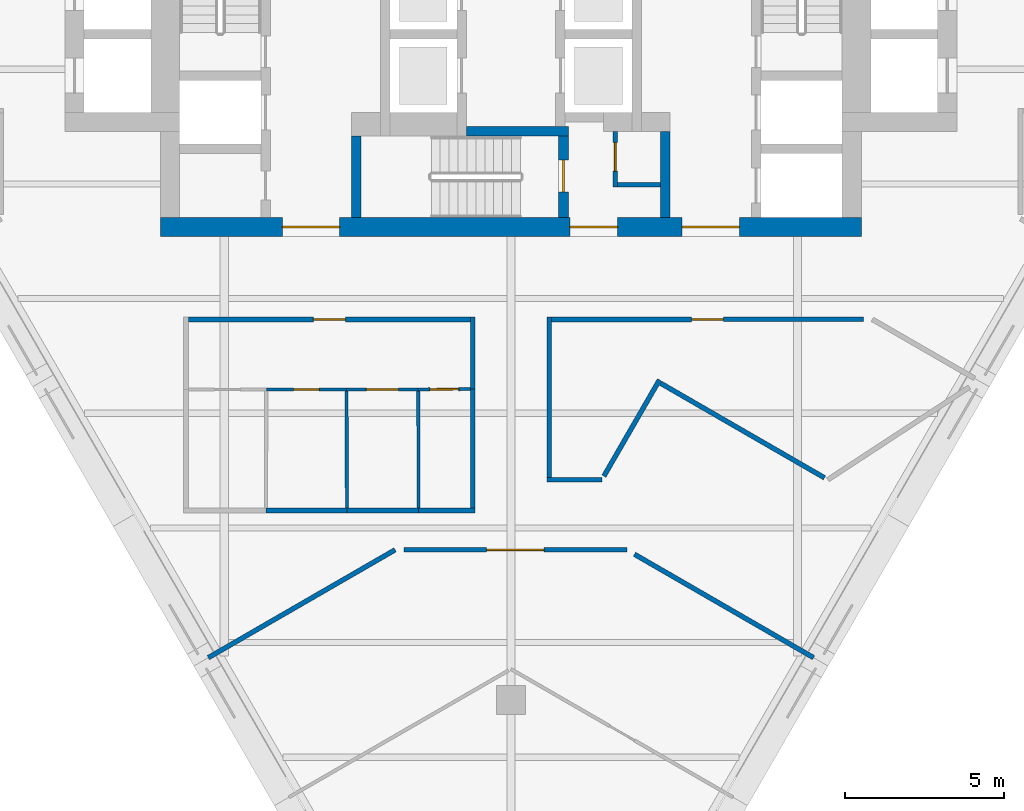
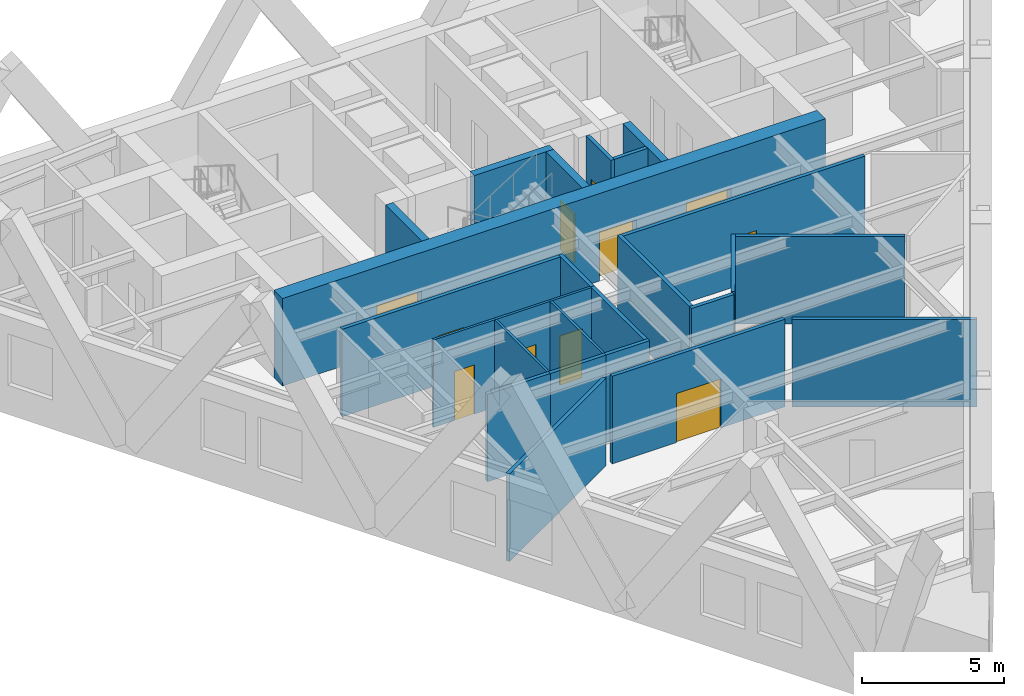
# One storey, part 3 of 8: 26 walls, 11 doors, 11 openings.
"""IFC4 building model written with IfcOpenShell, lengths in metres."""

from ifc_helpers import new_model, si_unit, direction, frame, frame_2d, origin, place, context, subcontext, project, spatial, rectangle, extrude, material, layer, layer_set, type_object, element, fill, save


model = new_model("IFC4")

# Units and contexts
model_context = context("Model", 3, precision=1e-05, world=origin(), true_north=direction((0.0, 1.0)))
body_context = subcontext(model_context, "Body", "Model", "MODEL_VIEW")
ifc_project = project(units=[si_unit("LENGTHUNIT", "METRE"), si_unit("AREAUNIT", "SQUARE_METRE"), si_unit("VOLUMEUNIT", "CUBIC_METRE"), si_unit("PLANEANGLEUNIT", "RADIAN"), si_unit("MASSUNIT", "GRAM", prefix="KILO")], contexts=[model_context])

# Site, building, storey
site_placement = place(None, origin())
site = spatial("IfcSite", under=ifc_project, at=site_placement, CompositionType="ELEMENT")
building_placement = place(site_placement, origin())
building = spatial("IfcBuilding", under=site, at=building_placement, Name="Aloe Facet Convention Tower", CompositionType="ELEMENT")
storey_placement = place(building_placement, frame((0.0, 0.0, 128.60009765625)))
storey = spatial("IfcBuildingStorey", under=building, at=storey_placement, Name="L32", CompositionType="ELEMENT", Elevation=128.60009765625)

# Wall, opening, door
ifc_material_1 = material(Name="Concrete blockwork partition", Category="masonry")
ifc_layer_1 = layer(ifc_material_1, 0.14990234375)
ifc_layer_set_1 = layer_set([ifc_layer_1], Name="CR-W-PART150")
wall_type_1 = type_object("IfcWallType", Name="CR-W-PART150", PredefinedType="PARTITIONING", material=ifc_layer_set_1)
wall_1_placement = place(storey_placement, frame((83.27490234375, 125.85009765625, 0.0), z_axis=(0.0, 0.0, 1.0), x_axis=(0.0, -1.0, 0.0)))
wall_1 = element("IfcWall", 1, at=wall_1_placement, inside=storey, type_object=wall_type_1, Name="Core partition L32-028", PredefinedType="PARTITIONING", context=body_context, shape_type="SweptSolid", body=[
    extrude(rectangle(XDim=1.75, YDim=0.14990234375, at=frame_2d((0.875, 0.0))), origin(), (0.0, 0.0, 1.0), 3.75),
])
opening_1_placement = place(wall_1_placement, frame((0.35009765625, 0.0, 0.0)))
opening_1 = element("IfcOpeningElement", 2, at=opening_1_placement, cuts=wall_1, Name="Opening L32-CD12", PredefinedType="OPENING", context=body_context, shape_type="SweptSolid", body=[
    extrude(rectangle(XDim=0.89990234375, YDim=2.10009765625, at=frame_2d((0.449951171875, 1.050048828125))), frame((0.0, 0.0849609375, 0.0), z_axis=(0.0, -1.0, 0.0), x_axis=(1.0, 0.0, 0.0)), (0.0, 0.0, 1.0), 0.169921875),
])
ifc_material_2 = material(Name="Steel fire-resisting door set FD60", Category="steel")
door_type_1 = type_object("IfcDoorType", Name="CR-D-REFUGE-900-FD60-SRIGHT", OperationType="SINGLE_SWING_RIGHT", PredefinedType="DOOR", material=ifc_material_2)
door_1_placement = place(opening_1_placement, origin())
door_1 = element("IfcDoor", 3, at=door_1_placement, inside=storey, type_object=door_type_1, Name="Core door L32-CD12", OperationType="SINGLE_SWING_RIGHT", OverallHeight=2.10009765625, OverallWidth=0.89990234375, PredefinedType="DOOR", context=body_context, shape_type="SweptSolid", body=[
    extrude(rectangle(XDim=0.89990234375, YDim=2.10009765625, at=frame_2d((0.449951171875, 1.050048828125))), frame((0.0, 0.02490234375, 0.0), z_axis=(0.0, -1.0, 0.0), x_axis=(1.0, 0.0, 0.0)), (0.0, 0.0, 1.0), 0.050048828125),
])
fill(opening_1, door_1)

# Walls
wall_2_placement = place(storey_placement, frame((83.35009765625, 124.175048828125, 0.0), z_axis=(0.0, 0.0, 1.0), x_axis=(1.0, 0.0, 0.0)))
element("IfcWall", 4, at=wall_2_placement, inside=storey, type_object=wall_type_1, Name="Core partition L32-029", PredefinedType="PARTITIONING", context=body_context, shape_type="SweptSolid", body=[
    extrude(rectangle(XDim=1.349853515625, YDim=0.14990234375, at=frame_2d((0.6748046875, 0.0))), origin(), (0.0, 0.0, 1.0), 3.75),
])
ifc_material_3 = material(Name="Concrete C60/75", Category="concrete")
ifc_layer_2 = layer(ifc_material_3, 0.300048828125)
ifc_layer_set_2 = layer_set([ifc_layer_2], Name="CR-W-RC300-C6075")
wall_type_2 = type_object("IfcWallType", Name="CR-W-RC300-C6075", PredefinedType="SOLIDWALL", material=ifc_layer_set_2)
wall_3_placement = place(storey_placement, frame((75.14990234375, 125.699951171875, 0.0), z_axis=(0.0, 0.0, 1.0), x_axis=(0.0, -1.0, 0.0)))
element("IfcWall", 5, at=wall_3_placement, inside=storey, type_object=wall_type_2, Name="Core wall L32-015", PredefinedType="SOLIDWALL", context=body_context, shape_type="SweptSolid", body=[
    extrude(rectangle(XDim=2.550048828125, YDim=0.300048828125, at=frame_2d((1.27490234375, 0.0))), origin(), (0.0, 0.0, 1.0), 3.75),
])
wall_4_placement = place(storey_placement, frame((78.60009765625, 125.85009765625, 0.0), z_axis=(0.0, 0.0, 1.0), x_axis=(1.0, 0.0, 0.0)))
element("IfcWall", 6, at=wall_4_placement, inside=storey, type_object=wall_type_2, Name="Core wall L32-021", PredefinedType="SOLIDWALL", context=body_context, shape_type="SweptSolid", body=[
    extrude(rectangle(XDim=3.199951171875, YDim=0.300048828125, at=frame_2d((1.60009765625, 0.0))), origin(), (0.0, 0.0, 1.0), 3.75),
])

# Wall, opening, door
wall_5_placement = place(storey_placement, frame((81.64990234375, 125.699951171875, 0.0), z_axis=(0.0, 0.0, 1.0), x_axis=(0.0, -1.0, 0.0)))
wall_5 = element("IfcWall", 7, at=wall_5_placement, inside=storey, type_object=wall_type_2, Name="Core wall L32-023", PredefinedType="SOLIDWALL", context=body_context, shape_type="SweptSolid", body=[
    extrude(rectangle(XDim=2.550048828125, YDim=0.300048828125, at=frame_2d((1.27490234375, 0.0))), origin(), (0.0, 0.0, 1.0), 3.75),
])
opening_2_placement = place(wall_5_placement, frame((0.75, 0.0, 0.0)))
opening_2 = element("IfcOpeningElement", 8, at=opening_2_placement, cuts=wall_5, Name="Opening L32-CD22", PredefinedType="OPENING", context=body_context, shape_type="SweptSolid", body=[
    extrude(rectangle(XDim=1.0, YDim=2.10009765625, at=frame_2d((0.5, 1.050048828125))), frame((0.0, 0.16015625, 0.0), z_axis=(0.0, -1.0, 0.0), x_axis=(1.0, 0.0, 0.0)), (0.0, 0.0, 1.0), 0.320068359375),
])
ifc_material_4 = material(Name="Steel fire-resisting door set FD120", Category="steel")
door_type_2 = type_object("IfcDoorType", Name="CR-D-STAIR-1000-FD120-SLEFT", OperationType="SINGLE_SWING_LEFT", PredefinedType="DOOR", material=ifc_material_4)
door_2_placement = place(opening_2_placement, origin())
door_2 = element("IfcDoor", 9, at=door_2_placement, inside=storey, type_object=door_type_2, Name="Core door L32-CD22", OperationType="SINGLE_SWING_LEFT", OverallHeight=2.10009765625, OverallWidth=1.0, PredefinedType="DOOR", context=body_context, shape_type="SweptSolid", body=[
    extrude(rectangle(XDim=1.0, YDim=2.10009765625, at=frame_2d((0.5, 1.050048828125))), frame((0.0, 0.02490234375, 0.0), z_axis=(0.0, -1.0, 0.0), x_axis=(1.0, 0.0, 0.0)), (0.0, 0.0, 1.0), 0.050048828125),
])
fill(opening_2, door_2)

# Wall
wall_6_placement = place(storey_placement, frame((84.85009765625, 125.85009765625, 0.0), z_axis=(0.0, 0.0, 1.0), x_axis=(0.0, -1.0, 0.0)))
element("IfcWall", 10, at=wall_6_placement, inside=storey, type_object=wall_type_2, Name="Core wall L32-033", PredefinedType="SOLIDWALL", context=body_context, shape_type="SweptSolid", body=[
    extrude(rectangle(XDim=2.7001953125, YDim=0.300048828125, at=frame_2d((1.35009765625, 0.0))), origin(), (0.0, 0.0, 1.0), 3.75),
])

# Wall, openings, doors
ifc_material_5 = material(Name="Concrete C60/75", Category="concrete")
ifc_layer_3 = layer(ifc_material_5, 0.60009765625)
ifc_layer_set_3 = layer_set([ifc_layer_3], Name="CR-W-RC600-C6075")
wall_type_3 = type_object("IfcWallType", Name="CR-W-RC600-C6075", PredefinedType="SOLIDWALL", material=ifc_layer_set_3)
wall_7_placement = place(storey_placement, frame((69.0, 122.85009765625, 0.0), z_axis=(0.0, 0.0, 1.0), x_axis=(1.0, 0.0, 0.0)))
wall_7 = element("IfcWall", 11, at=wall_7_placement, inside=storey, type_object=wall_type_3, Name="Core wall L32-009", PredefinedType="SOLIDWALL", context=body_context, shape_type="SweptSolid", body=[
    extrude(rectangle(XDim=22.0, YDim=0.60009765625, at=frame_2d((11.0, 0.0))), origin(), (0.0, 0.0, 1.0), 3.75),
])
opening_3_placement = place(wall_7_placement, frame((16.375, 0.0, 0.0)))
opening_3 = element("IfcOpeningElement", 12, at=opening_3_placement, cuts=wall_7, Name="Opening L32-CD09", PredefinedType="OPENING", context=body_context, shape_type="SweptSolid", body=[
    extrude(rectangle(XDim=1.800048828125, YDim=2.10009765625, at=frame_2d((0.89990234375, 1.050048828125))), frame((0.0, 0.31005859375, 0.0), z_axis=(0.0, -1.0, 0.0), x_axis=(1.0, 0.0, 0.0)), (0.0, 0.0, 1.0), 0.6201171875),
])
opening_4_placement = place(wall_7_placement, frame((3.824951171875, 0.0, 0.0)))
opening_4 = element("IfcOpeningElement", 13, at=opening_4_placement, cuts=wall_7, Name="Opening L32-CD10", PredefinedType="OPENING", context=body_context, shape_type="SweptSolid", body=[
    extrude(rectangle(XDim=1.800048828125, YDim=2.10009765625, at=frame_2d((0.89990234375, 1.050048828125))), frame((0.0, 0.31005859375, 0.0), z_axis=(0.0, -1.0, 0.0), x_axis=(1.0, 0.0, 0.0)), (0.0, 0.0, 1.0), 0.6201171875),
])
opening_5_placement = place(wall_7_placement, frame((12.85009765625, 0.0, 0.0)))
opening_5 = element("IfcOpeningElement", 14, at=opening_5_placement, cuts=wall_7, Name="Opening L32-CD11", PredefinedType="OPENING", context=body_context, shape_type="SweptSolid", body=[
    extrude(rectangle(XDim=1.5, YDim=2.10009765625, at=frame_2d((0.75, 1.050048828125))), frame((0.0, 0.31005859375, 0.0), z_axis=(0.0, -1.0, 0.0), x_axis=(1.0, 0.0, 0.0)), (0.0, 0.0, 1.0), 0.6201171875),
])
ifc_material_6 = material(Name="Steel fire-resisting door set FD60", Category="steel")
door_type_3 = type_object("IfcDoorType", Name="CR-D-EXIT-1500-FD60-DD", OperationType="DOUBLE_DOOR_DOUBLE_SWING", PredefinedType="DOOR", material=ifc_material_6)
door_3_placement = place(opening_5_placement, origin())
door_3 = element("IfcDoor", 15, at=door_3_placement, inside=storey, type_object=door_type_3, Name="Core door L32-CD11", OperationType="DOUBLE_DOOR_DOUBLE_SWING", OverallHeight=2.10009765625, OverallWidth=1.5, PredefinedType="DOOR", context=body_context, shape_type="SweptSolid", body=[
    extrude(rectangle(XDim=1.5, YDim=2.10009765625, at=frame_2d((0.75, 1.050048828125))), frame((0.0, 0.02490234375, 0.0), z_axis=(0.0, -1.0, 0.0), x_axis=(1.0, 0.0, 0.0)), (0.0, 0.0, 1.0), 0.050048828125),
])
fill(opening_5, door_3)
ifc_material_7 = material(Name="Steel fire-resisting door set FD120", Category="steel")
door_type_4 = type_object("IfcDoorType", Name="CR-D-EXIT-1800-FD120-DD", OperationType="DOUBLE_DOOR_DOUBLE_SWING", PredefinedType="DOOR", material=ifc_material_7)
door_4_placement = place(opening_3_placement, origin())
door_4 = element("IfcDoor", 16, at=door_4_placement, inside=storey, type_object=door_type_4, Name="Core door L32-CD09", OperationType="DOUBLE_DOOR_DOUBLE_SWING", OverallHeight=2.10009765625, OverallWidth=1.800048828125, PredefinedType="DOOR", context=body_context, shape_type="SweptSolid", body=[
    extrude(rectangle(XDim=1.800048828125, YDim=2.10009765625, at=frame_2d((0.89990234375, 1.050048828125))), frame((0.0, 0.02490234375, 0.0), z_axis=(0.0, -1.0, 0.0), x_axis=(1.0, 0.0, 0.0)), (0.0, 0.0, 1.0), 0.050048828125),
])
fill(opening_3, door_4)
door_5_placement = place(opening_4_placement, origin())
door_5 = element("IfcDoor", 17, at=door_5_placement, inside=storey, type_object=door_type_4, Name="Core door L32-CD10", OperationType="DOUBLE_DOOR_DOUBLE_SWING", OverallHeight=2.10009765625, OverallWidth=1.800048828125, PredefinedType="DOOR", context=body_context, shape_type="SweptSolid", body=[
    extrude(rectangle(XDim=1.800048828125, YDim=2.10009765625, at=frame_2d((0.89990234375, 1.050048828125))), frame((0.0, 0.02490234375, 0.0), z_axis=(0.0, -1.0, 0.0), x_axis=(1.0, 0.0, 0.0)), (0.0, 0.0, 1.0), 0.050048828125),
])
fill(opening_4, door_5)

# Wall
ifc_material_8 = material(Name="Gypsum board partition on steel studs", Category="steel")
ifc_layer_4 = layer(ifc_material_8, 0.14990234375)
ifc_layer_set_4 = layer_set([ifc_layer_4], Name="IN-W-CORR")
wall_type_4 = type_object("IfcWallType", Name="IN-W-CORR", PredefinedType="PARTITIONING", material=ifc_layer_set_4)
wall_8_placement = place(storey_placement, frame((70.49853515625, 109.327392578125, 0.0), z_axis=(0.0, 0.0, 1.0), x_axis=(0.866024677295, 0.500001258315, 0.0)))
element("IfcWall", 18, at=wall_8_placement, inside=storey, type_object=wall_type_4, Name="Partition L32-W003", PredefinedType="PARTITIONING", context=body_context, shape_type="SweptSolid", body=[
    extrude(rectangle(XDim=6.771484375, YDim=0.14990234375, at=frame_2d((3.3857421875, 0.0))), origin(), (0.0, 0.0, 1.0), 3.75),
])

# Wall, opening, door
wall_9_placement = place(storey_placement, frame((76.642578125, 112.713134765625, 0.0), z_axis=(0.0, 0.0, 1.0), x_axis=(1.0, 0.0, 0.0)))
wall_9 = element("IfcWall", 19, at=wall_9_placement, inside=storey, type_object=wall_type_4, Name="Partition L32-W004", PredefinedType="PARTITIONING", context=body_context, shape_type="SweptSolid", body=[
    extrude(rectangle(XDim=6.99462890625, YDim=0.14990234375, at=frame_2d((3.497314453125, 0.0))), origin(), (0.0, 0.0, 1.0), 3.75),
])
opening_6_placement = place(wall_9_placement, frame((2.597412109375, 0.0, 0.0)))
opening_6 = element("IfcOpeningElement", 20, at=opening_6_placement, cuts=wall_9, Name="Opening L32-010", PredefinedType="OPENING", context=body_context, shape_type="SweptSolid", body=[
    extrude(rectangle(XDim=1.800048828125, YDim=2.10009765625, at=frame_2d((0.89990234375, 1.050048828125))), frame((0.0, 0.0849609375, 0.0), z_axis=(0.0, -1.0, 0.0), x_axis=(1.0, 0.0, 0.0)), (0.0, 0.0, 1.0), 0.169921875),
])
ifc_material_9 = material(Name="Glazed timber door pair FD30S", Category="wood")
door_type_5 = type_object("IfcDoorType", Name="IN-OFF-D-SUITE", OperationType="DOUBLE_DOOR_SINGLE_SWING", PredefinedType="DOOR", material=ifc_material_9)
door_6_placement = place(opening_6_placement, origin())
door_6 = element("IfcDoor", 21, at=door_6_placement, inside=storey, type_object=door_type_5, Name="Door L32-010", OperationType="SINGLE_SWING_LEFT", OverallHeight=2.10009765625, OverallWidth=1.800048828125, PredefinedType="DOOR", context=body_context, shape_type="SweptSolid", body=[
    extrude(rectangle(XDim=1.800048828125, YDim=2.10009765625, at=frame_2d((0.89990234375, 1.050048828125))), frame((0.0, 0.02490234375, 0.0), z_axis=(0.0, -1.0, 0.0), x_axis=(1.0, 0.0, 0.0)), (0.0, 0.0, 1.0), 0.050048828125),
])
fill(opening_6, door_6)

# Walls
wall_10_placement = place(storey_placement, frame((83.879638671875, 112.5732421875, 0.0), z_axis=(0.0, 0.0, 1.0), x_axis=(0.866019616786, -0.500010023241, 0.0)))
element("IfcWall", 22, at=wall_10_placement, inside=storey, type_object=wall_type_4, Name="Partition L32-W005", PredefinedType="PARTITIONING", context=body_context, shape_type="SweptSolid", body=[
    extrude(rectangle(XDim=6.491455078125, YDim=0.14990234375, at=frame_2d((3.24560546875, 0.0))), origin(), (0.0, 0.0, 1.0), 3.75),
])
wall_11_placement = place(storey_placement, frame((72.31005859375, 113.949951171875, 0.0), z_axis=(0.0, 0.0, 1.0), x_axis=(1.0, 0.0, 0.0)))
element("IfcWall", 23, at=wall_11_placement, inside=storey, type_object=wall_type_4, Name="Partition L32-W007", PredefinedType="PARTITIONING", context=body_context, shape_type="SweptSolid", body=[
    extrude(rectangle(XDim=2.5400390625, YDim=0.14990234375, at=frame_2d((1.27001953125, 0.0))), origin(), (0.0, 0.0, 1.0), 3.75),
])
wall_12_placement = place(storey_placement, frame((74.85009765625, 113.949951171875, 0.0), z_axis=(0.0, 0.0, 1.0), x_axis=(1.0, 0.0, 0.0)))
element("IfcWall", 24, at=wall_12_placement, inside=storey, type_object=wall_type_4, Name="Partition L32-W008", PredefinedType="PARTITIONING", context=body_context, shape_type="SweptSolid", body=[
    extrude(rectangle(XDim=2.25, YDim=0.14990234375, at=frame_2d((1.125, 0.0))), origin(), (0.0, 0.0, 1.0), 3.75),
])
wall_13_placement = place(storey_placement, frame((77.10009765625, 113.949951171875, 0.0), z_axis=(0.0, 0.0, 1.0), x_axis=(1.0, 0.0, 0.0)))
element("IfcWall", 25, at=wall_13_placement, inside=storey, type_object=wall_type_4, Name="Partition L32-W009", PredefinedType="PARTITIONING", context=body_context, shape_type="SweptSolid", body=[
    extrude(rectangle(XDim=1.77294921875, YDim=0.14990234375, at=frame_2d((0.886474609375, 0.0))), origin(), (0.0, 0.0, 1.0), 3.75),
])
wall_14_placement = place(storey_placement, frame((78.7978515625, 114.02490234375, 0.0), z_axis=(0.0, 0.0, 1.0), x_axis=(0.000588273642, 0.999999826967, 0.0)))
element("IfcWall", 26, at=wall_14_placement, inside=storey, type_object=wall_type_4, Name="Partition L32-W010", PredefinedType="PARTITIONING", context=body_context, shape_type="SweptSolid", body=[
    extrude(rectangle(XDim=3.735107421875, YDim=0.14990234375, at=frame_2d((1.86767578125, 0.0))), origin(), (0.0, 0.0, 1.0), 3.75),
])
wall_15_placement = place(storey_placement, frame((81.126953125, 114.9130859375, 0.0), z_axis=(0.0, 0.0, 1.0), x_axis=(1.0, 0.0, 0.0)))
element("IfcWall", 27, at=wall_15_placement, inside=storey, type_object=wall_type_4, Name="Partition L32-W011", PredefinedType="PARTITIONING", context=body_context, shape_type="SweptSolid", body=[
    extrude(rectangle(XDim=1.725341796875, YDim=0.14990234375, at=frame_2d((0.86279296875, 0.0))), origin(), (0.0, 0.0, 1.0), 3.75),
])
wall_16_placement = place(storey_placement, frame((82.91748046875, 115.025634765625, 0.0), z_axis=(0.0, 0.0, 1.0), x_axis=(0.500250813813, 0.865880547928, 0.0)))
element("IfcWall", 28, at=wall_16_placement, inside=storey, type_object=wall_type_4, Name="Partition L32-W012", PredefinedType="PARTITIONING", context=body_context, shape_type="SweptSolid", body=[
    extrude(rectangle(XDim=3.492919921875, YDim=0.14990234375, at=frame_2d((1.74658203125, 0.0))), origin(), (0.0, 0.0, 1.0), 3.75),
])
wall_17_placement = place(storey_placement, frame((78.800048828125, 117.760009765625, 0.0), z_axis=(0.0, 0.0, 1.0), x_axis=(0.0, 1.0, 0.0)))
element("IfcWall", 29, at=wall_17_placement, inside=storey, type_object=wall_type_4, Name="Partition L32-W014", PredefinedType="PARTITIONING", context=body_context, shape_type="SweptSolid", body=[
    extrude(rectangle(XDim=2.262939453125, YDim=0.14990234375, at=frame_2d((1.13134765625, 0.0))), origin(), (0.0, 0.0, 1.0), 3.75),
])
wall_18_placement = place(storey_placement, frame((84.700927734375, 117.942626953125, 0.0), z_axis=(0.0, 0.0, 1.0), x_axis=(0.86613013434, -0.499818557467, 0.0)))
element("IfcWall", 30, at=wall_18_placement, inside=storey, type_object=wall_type_4, Name="Partition L32-W023", PredefinedType="PARTITIONING", context=body_context, shape_type="SweptSolid", body=[
    extrude(rectangle(XDim=5.937744140625, YDim=0.14990234375, at=frame_2d((2.96875, 0.0))), origin(), (0.0, 0.0, 1.0), 3.75),
])
wall_19_placement = place(storey_placement, frame((81.2021484375, 114.98828125, 0.0), z_axis=(0.0, 0.0, 1.0), x_axis=(-0.000436427075, 0.999999904766, 0.0)))
element("IfcWall", 31, at=wall_19_placement, inside=storey, type_object=wall_type_4, Name="Partition L32-W026", PredefinedType="PARTITIONING", context=body_context, shape_type="SweptSolid", body=[
    extrude(rectangle(XDim=5.03466796875, YDim=0.14990234375, at=frame_2d((2.517333984375, 0.0))), origin(), (0.0, 0.0, 1.0), 3.75),
])

# Wall, opening, door
wall_20_placement = place(storey_placement, frame((69.875, 119.947998046875, 0.0), z_axis=(0.0, 0.0, 1.0), x_axis=(1.0, 0.0, 0.0)))
wall_20 = element("IfcWall", 32, at=wall_20_placement, inside=storey, type_object=wall_type_4, Name="Partition L32-W027", PredefinedType="PARTITIONING", context=body_context, shape_type="SweptSolid", body=[
    extrude(rectangle(XDim=8.85009765625, YDim=0.14990234375, at=frame_2d((4.425048828125, 0.0))), origin(), (0.0, 0.0, 1.0), 3.75),
])
opening_7_placement = place(wall_20_placement, frame((3.925048828125, 0.0, 0.0)))
opening_7 = element("IfcOpeningElement", 33, at=opening_7_placement, cuts=wall_20, Name="Opening L32-001", PredefinedType="OPENING", context=body_context, shape_type="SweptSolid", body=[
    extrude(rectangle(XDim=1.0, YDim=2.10009765625, at=frame_2d((0.5, 1.050048828125))), frame((0.0, 0.0849609375, 0.0), z_axis=(0.0, -1.0, 0.0), x_axis=(1.0, 0.0, 0.0)), (0.0, 0.0, 1.0), 0.169921875),
])
ifc_material_10 = material(Name="Timber door FD30S with vision panel", Category="wood")
door_type_6 = type_object("IfcDoorType", Name="IN-OFF-D-ENTRY", OperationType="SINGLE_SWING_LEFT", PredefinedType="DOOR", material=ifc_material_10)
door_7_placement = place(opening_7_placement, origin())
door_7 = element("IfcDoor", 34, at=door_7_placement, inside=storey, type_object=door_type_6, Name="Door L32-001", OperationType="SINGLE_SWING_LEFT", OverallHeight=2.10009765625, OverallWidth=1.0, PredefinedType="DOOR", context=body_context, shape_type="SweptSolid", body=[
    extrude(rectangle(XDim=1.0, YDim=2.10009765625, at=frame_2d((0.5, 1.050048828125))), frame((0.0, 0.02490234375, 0.0), z_axis=(0.0, -1.0, 0.0), x_axis=(1.0, 0.0, 0.0)), (0.0, 0.0, 1.0), 0.050048828125),
])
fill(opening_7, door_7)

wall_21_placement = place(storey_placement, frame((81.27490234375, 119.947998046875, 0.0), z_axis=(0.0, 0.0, 1.0), x_axis=(0.999999984769, 0.000174533121, 0.0)))
wall_21 = element("IfcWall", 35, at=wall_21_placement, inside=storey, type_object=wall_type_4, Name="Partition L32-W028", PredefinedType="PARTITIONING", context=body_context, shape_type="SweptSolid", body=[
    extrude(rectangle(XDim=9.791748046875, YDim=0.14990234375, at=frame_2d((4.89599609375, 0.0))), origin(), (0.0, 0.0, 1.0), 3.75),
])
opening_8_placement = place(wall_21_placement, frame((4.395751953125, 0.0, 0.0)))
opening_8 = element("IfcOpeningElement", 36, at=opening_8_placement, cuts=wall_21, Name="Opening L32-006", PredefinedType="OPENING", context=body_context, shape_type="SweptSolid", body=[
    extrude(rectangle(XDim=1.0, YDim=2.10009765625, at=frame_2d((0.5, 1.050048828125))), frame((0.0, 0.0849609375, 0.0), z_axis=(0.0, -1.0, 0.0), x_axis=(1.0, 0.0, 0.0)), (0.0, 0.0, 1.0), 0.169921875),
])
door_8_placement = place(opening_8_placement, origin())
door_8 = element("IfcDoor", 37, at=door_8_placement, inside=storey, type_object=door_type_6, Name="Door L32-006", OperationType="SINGLE_SWING_LEFT", OverallHeight=2.10009765625, OverallWidth=1.0, PredefinedType="DOOR", context=body_context, shape_type="SweptSolid", body=[
    extrude(rectangle(XDim=1.0, YDim=2.10009765625, at=frame_2d((0.5, 1.050048828125))), frame((0.0, 0.02490234375, 0.0), z_axis=(0.0, -1.0, 0.0), x_axis=(1.0, 0.0, 0.0)), (0.0, 0.0, 1.0), 0.050048828125),
])
fill(opening_8, door_8)

# Wall
ifc_material_11 = material(Name="Gypsum board partition on steel studs", Category="steel")
ifc_layer_5 = layer(ifc_material_11, 0.10009765625)
ifc_layer_set_5 = layer_set([ifc_layer_5], Name="IN-W-PART")
wall_type_5 = type_object("IfcWallType", Name="IN-W-PART", PredefinedType="PARTITIONING", material=ifc_layer_set_5)
wall_22_placement = place(storey_placement, frame((74.849853515625, 114.02490234375, 0.0), z_axis=(0.0, 0.0, 1.0), x_axis=(-0.002657268237, 0.999996469457, 0.0)))
element("IfcWall", 38, at=wall_22_placement, inside=storey, type_object=wall_type_5, Name="Partition L32-W017", PredefinedType="PARTITIONING", context=body_context, shape_type="SweptSolid", body=[
    extrude(rectangle(XDim=3.675048828125, YDim=0.10009765625, at=frame_2d((1.83740234375, 0.0))), origin(), (0.0, 0.0, 1.0), 3.75),
])

# Wall, opening, door
wall_23_placement = place(storey_placement, frame((72.320068359375, 117.75, 0.0), z_axis=(0.0, 0.0, 1.0), x_axis=(1.0, 0.0, 0.0)))
wall_23 = element("IfcWall", 39, at=wall_23_placement, inside=storey, type_object=wall_type_5, Name="Partition L32-W018", PredefinedType="PARTITIONING", context=body_context, shape_type="SweptSolid", body=[
    extrude(rectangle(XDim=2.52001953125, YDim=0.10009765625, at=frame_2d((1.260009765625, 0.0))), origin(), (0.0, 0.0, 1.0), 3.75),
])
opening_9_placement = place(wall_23_placement, frame((0.860107421875, 0.0, 0.0)))
opening_9 = element("IfcOpeningElement", 40, at=opening_9_placement, cuts=wall_23, Name="Opening L32-003", PredefinedType="OPENING", context=body_context, shape_type="SweptSolid", body=[
    extrude(rectangle(XDim=0.800048828125, YDim=2.10009765625, at=frame_2d((0.39990234375, 1.050048828125))), frame((0.0, 0.06005859375, 0.0), z_axis=(0.0, -1.0, 0.0), x_axis=(1.0, 0.0, 0.0)), (0.0, 0.0, 1.0), 0.1201171875),
])
ifc_material_12 = material(Name="Timber door", Category="wood")
door_type_7 = type_object("IfcDoorType", Name="IN-OFF-D-WC", OperationType="SINGLE_SWING_LEFT", PredefinedType="DOOR", material=ifc_material_12)
door_9_placement = place(opening_9_placement, origin())
door_9 = element("IfcDoor", 41, at=door_9_placement, inside=storey, type_object=door_type_7, Name="Door L32-003", OperationType="SINGLE_SWING_LEFT", OverallHeight=2.10009765625, OverallWidth=0.800048828125, PredefinedType="DOOR", context=body_context, shape_type="SweptSolid", body=[
    extrude(rectangle(XDim=0.800048828125, YDim=2.10009765625, at=frame_2d((0.39990234375, 1.050048828125))), frame((0.0, 0.02490234375, 0.0), z_axis=(0.0, -1.0, 0.0), x_axis=(1.0, 0.0, 0.0)), (0.0, 0.0, 1.0), 0.050048828125),
])
fill(opening_9, door_9)

# Wall
wall_24_placement = place(storey_placement, frame((77.099853515625, 114.02490234375, 0.0), z_axis=(0.0, 0.0, 1.0), x_axis=(-0.002657268237, 0.999996469457, 0.0)))
element("IfcWall", 42, at=wall_24_placement, inside=storey, type_object=wall_type_5, Name="Partition L32-W019", PredefinedType="PARTITIONING", context=body_context, shape_type="SweptSolid", body=[
    extrude(rectangle(XDim=3.675048828125, YDim=0.10009765625, at=frame_2d((1.83740234375, 0.0))), origin(), (0.0, 0.0, 1.0), 3.75),
])

# Wall, opening, door
wall_25_placement = place(storey_placement, frame((74.840087890625, 117.75, 0.0), z_axis=(0.0, 0.0, 1.0), x_axis=(1.0, 0.0, 0.0)))
wall_25 = element("IfcWall", 43, at=wall_25_placement, inside=storey, type_object=wall_type_5, Name="Partition L32-W020", PredefinedType="PARTITIONING", context=body_context, shape_type="SweptSolid", body=[
    extrude(rectangle(XDim=2.25, YDim=0.10009765625, at=frame_2d((1.125, 0.0))), origin(), (0.0, 0.0, 1.0), 3.75),
])
opening_10_placement = place(wall_25_placement, frame((0.625, 0.0, 0.0)))
opening_10 = element("IfcOpeningElement", 44, at=opening_10_placement, cuts=wall_25, Name="Opening L32-004", PredefinedType="OPENING", context=body_context, shape_type="SweptSolid", body=[
    extrude(rectangle(XDim=1.0, YDim=2.10009765625, at=frame_2d((0.5, 1.050048828125))), frame((0.0, 0.06005859375, 0.0), z_axis=(0.0, -1.0, 0.0), x_axis=(1.0, 0.0, 0.0)), (0.0, 0.0, 1.0), 0.1201171875),
])
ifc_material_13 = material(Name="Timber door", Category="wood")
door_type_8 = type_object("IfcDoorType", Name="IN-OFF-D-WIDE", OperationType="SINGLE_SWING_LEFT", PredefinedType="DOOR", material=ifc_material_13)
door_10_placement = place(opening_10_placement, origin())
door_10 = element("IfcDoor", 45, at=door_10_placement, inside=storey, type_object=door_type_8, Name="Door L32-004", OperationType="SINGLE_SWING_LEFT", OverallHeight=2.10009765625, OverallWidth=1.0, PredefinedType="DOOR", context=body_context, shape_type="SweptSolid", body=[
    extrude(rectangle(XDim=1.0, YDim=2.10009765625, at=frame_2d((0.5, 1.050048828125))), frame((0.0, 0.02490234375, 0.0), z_axis=(0.0, -1.0, 0.0), x_axis=(1.0, 0.0, 0.0)), (0.0, 0.0, 1.0), 0.050048828125),
])
fill(opening_10, door_10)

wall_26_placement = place(storey_placement, frame((77.090087890625, 117.75, 0.0), z_axis=(0.0, 0.0, 1.0), x_axis=(0.999983043837, 0.005823404317, 0.0)))
wall_26 = element("IfcWall", 46, at=wall_26_placement, inside=storey, type_object=wall_type_5, Name="Partition L32-W021", PredefinedType="PARTITIONING", context=body_context, shape_type="SweptSolid", body=[
    extrude(rectangle(XDim=1.635009765625, YDim=0.10009765625, at=frame_2d((0.8173828125, 0.0))), origin(), (0.0, 0.0, 1.0), 3.75),
])
opening_11_placement = place(wall_26_placement, frame((0.367431640625, 0.0, 0.0)))
opening_11 = element("IfcOpeningElement", 47, at=opening_11_placement, cuts=wall_26, Name="Opening L32-005", PredefinedType="OPENING", context=body_context, shape_type="SweptSolid", body=[
    extrude(rectangle(XDim=0.89990234375, YDim=2.10009765625, at=frame_2d((0.449951171875, 1.050048828125))), frame((0.0, 0.06005859375, 0.0), z_axis=(0.0, -1.0, 0.0), x_axis=(1.0, 0.0, 0.0)), (0.0, 0.0, 1.0), 0.1201171875),
])
ifc_material_14 = material(Name="Timber door", Category="wood")
door_type_9 = type_object("IfcDoorType", Name="IN-OFF-D-ROOM", OperationType="SINGLE_SWING_LEFT", PredefinedType="DOOR", material=ifc_material_14)
door_11_placement = place(opening_11_placement, origin())
door_11 = element("IfcDoor", 48, at=door_11_placement, inside=storey, type_object=door_type_9, Name="Door L32-005", OperationType="SINGLE_SWING_LEFT", OverallHeight=2.10009765625, OverallWidth=0.89990234375, PredefinedType="DOOR", context=body_context, shape_type="SweptSolid", body=[
    extrude(rectangle(XDim=0.89990234375, YDim=2.10009765625, at=frame_2d((0.449951171875, 1.050048828125))), frame((0.0, 0.02490234375, 0.0), z_axis=(0.0, -1.0, 0.0), x_axis=(1.0, 0.0, 0.0)), (0.0, 0.0, 1.0), 0.050048828125),
])
fill(opening_11, door_11)

save(model, "model.ifc")
